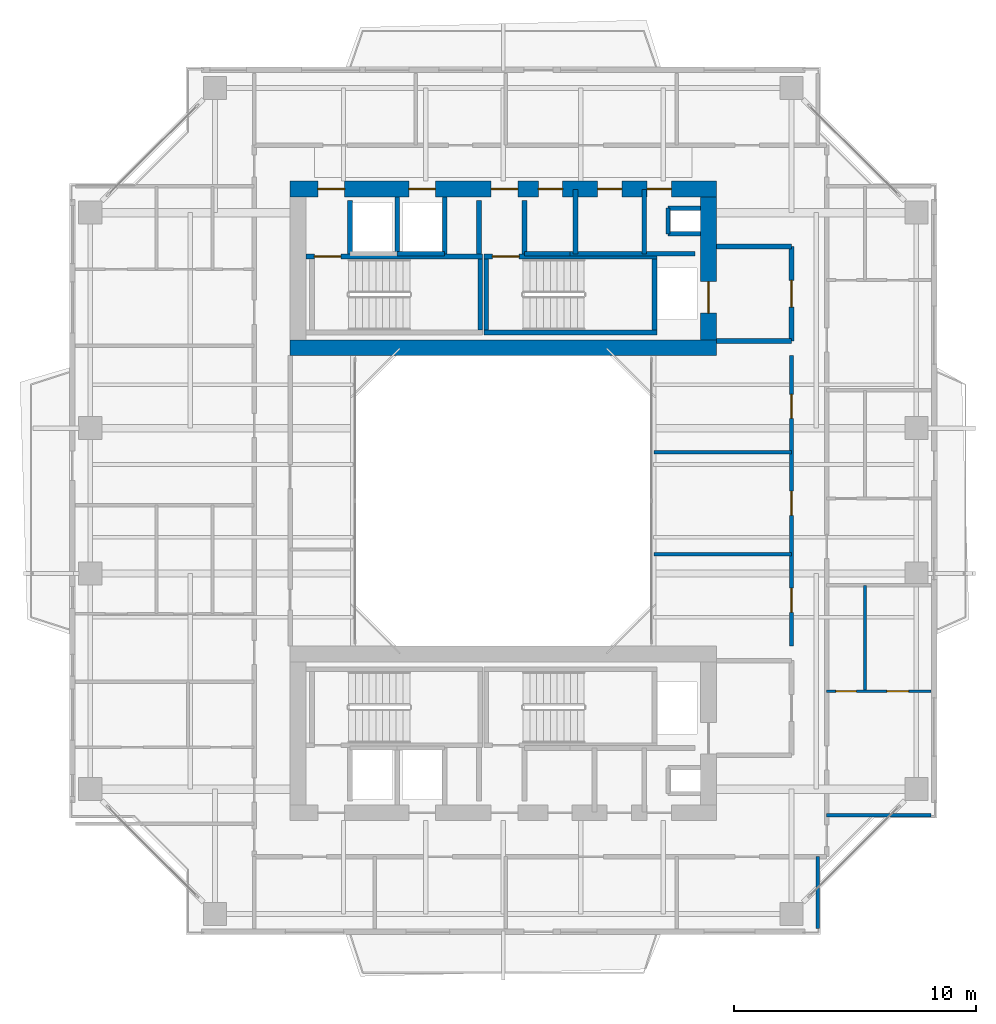
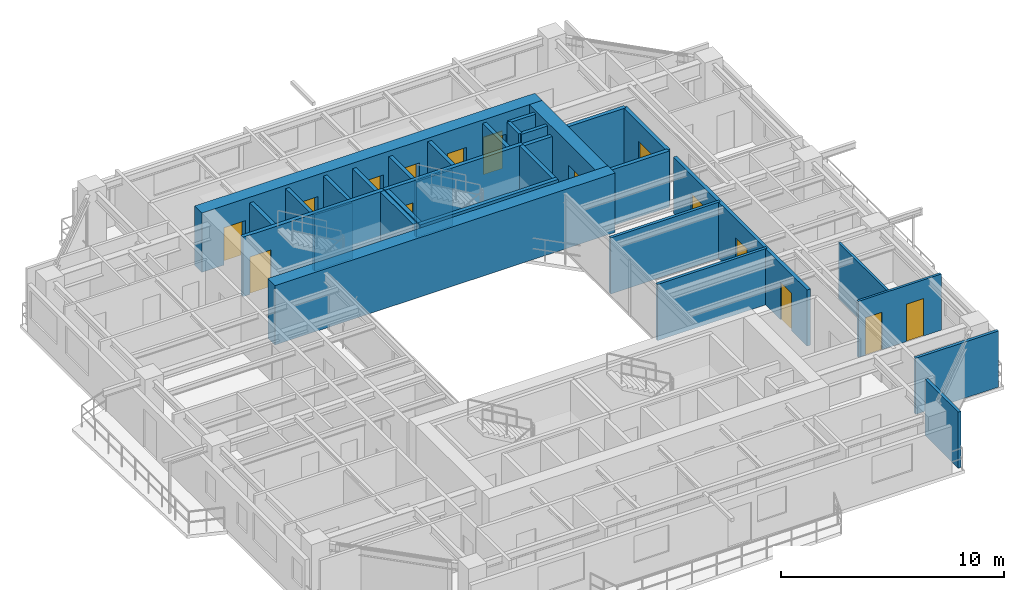
# One storey, part 13 of 18: 32 walls, 15 doors, 15 openings.
"""IFC4 building model written with IfcOpenShell, lengths in metres."""

from ifc_helpers import new_model, si_unit, direction, frame, frame_2d, origin, place, context, subcontext, project, spatial, rectangle, extrude, source, transform, mapped, material, layer, layer_set, type_object, element, fill, save


model = new_model("IFC4")

# Units and contexts
model_context = context("Model", 3, precision=1e-05, world=origin(), true_north=direction((0.0, 1.0)))
body_context = subcontext(model_context, "Body", "Model", "MODEL_VIEW")
ifc_project = project(units=[si_unit("LENGTHUNIT", "METRE"), si_unit("AREAUNIT", "SQUARE_METRE"), si_unit("VOLUMEUNIT", "CUBIC_METRE"), si_unit("PLANEANGLEUNIT", "RADIAN"), si_unit("MASSUNIT", "GRAM", prefix="KILO"), si_unit("THERMODYNAMICTEMPERATUREUNIT", "KELVIN"), si_unit("POWERUNIT", "WATT")], contexts=[model_context])

# Site, building, storey
site_placement = place(None, origin())
site = spatial("IfcSite", under=ifc_project, at=site_placement, CompositionType="ELEMENT")
building_placement = place(site_placement, origin())
building = spatial("IfcBuilding", under=site, at=building_placement, Name="Qiaomeng Ring Towers", CompositionType="ELEMENT")
storey_placement = place(building_placement, frame((0.0, 0.0, 179.5)))
storey = spatial("IfcBuildingStorey", under=building, at=storey_placement, Name="L52", CompositionType="ELEMENT", Elevation=179.5)

# Walls
ifc_material_1 = material(Name="Autoclaved aerated concrete block", Category="concrete")
ifc_layer_1 = layer(ifc_material_1, 0.199951171875, Name="Autoclaved aerated concrete block")
ifc_layer_set_1 = layer_set([ifc_layer_1], Name="Autoclaved aerated concrete block")
wall_type_1 = type_object("IfcWallType", Name="ARC-WL-PW1", PredefinedType="PARTITIONING", material=ifc_layer_set_1)
for number, where, z_axis, x_axis, name in (
    (1, (27.800048828125, 29.60009765625, 0.0), (0.0, 0.0, 1.0), (1.0, 0.0, 0.0), "L52 Interior Wall PW1"),
    (2, (27.800048828125, 33.5, 0.0), (0.0, 0.0, 1.0), (1.0, 0.0, 0.0), "L52 Interior Wall PW1"),
):
    element("IfcWall", number, at=place(storey_placement, frame(where, z_axis=z_axis, x_axis=x_axis)), inside=storey, type_object=wall_type_1, Name=name, PredefinedType="PARTITIONING", context=body_context, shape_type="SweptSolid", body=[
        extrude(rectangle(XDim=3.099853515625, YDim=0.199951171875, at=frame_2d((1.5498046875, 0.0))), origin(), (0.0, 0.0, 1.0), 3.070068359375),
    ])

# Wall, opening, door
wall_1_placement = place(storey_placement, frame((30.89990234375, 29.60009765625, 0.0), z_axis=(0.0, 0.0, 1.0), x_axis=(0.0, 1.0, 0.0)))
wall_1 = element("IfcWall", 3, at=wall_1_placement, inside=storey, type_object=wall_type_1, Name="L52 Interior Wall PW1", PredefinedType="PARTITIONING", context=body_context, shape_type="SweptSolid", body=[
    extrude(rectangle(XDim=3.89990234375, YDim=0.199951171875, at=frame_2d((1.949951171875, 0.0))), origin(), (0.0, 0.0, 1.0), 3.070068359375),
])
opening_1_placement = place(wall_1_placement, frame((1.39990234375, 0.0, 0.0)))
opening_1 = element("IfcOpeningElement", 4, at=opening_1_placement, cuts=wall_1, Name="Opening FD3", PredefinedType="OPENING", context=body_context, shape_type="SweptSolid", body=[
    extrude(rectangle(XDim=1.10009765625, YDim=2.050048828125, at=frame_2d((0.550048828125, 1.02490234375))), frame((0.0, 0.10986328125, 0.0), z_axis=(0.0, -1.0, 0.0), x_axis=(1.0, 0.0, 0.0)), (0.0, 0.0, 1.0), 0.219970703125),
])
ifc_material_2 = material(Name="Galvanised steel", Category="steel")
door_type_1 = type_object("IfcDoorType", Name="ARC-DR-FD3", OperationType="NOTDEFINED", PredefinedType="DOOR", material=ifc_material_2)
shared_shape_1 = source(origin(), body_context, "Body", "SweptSolid", [
    extrude(rectangle(XDim=1.10009765625, YDim=2.050048828125, at=frame_2d((0.550048828125, 1.02490234375))), frame((0.0, 0.02490234375, 0.0), z_axis=(0.0, -1.0, 0.0), x_axis=(1.0, 0.0, 0.0)), (0.0, 0.0, 1.0), 0.050048828125),
])
door_1_placement = place(opening_1_placement, origin())
door_1 = element("IfcDoor", 5, at=door_1_placement, inside=storey, type_object=door_type_1, Name="L52 North FF Lobby Door", OperationType="SINGLE_SWING_LEFT", OverallHeight=2.050048828125, OverallWidth=1.10009765625, PredefinedType="DOOR", context=body_context, shape_type="MappedRepresentation", body=[
    mapped(shared_shape_1, transform((0.0, 0.0, 0.0), x_axis=(1.0, 0.0, 0.0), y_axis=(0.0, 1.0, 0.0), z_axis=(0.0, 0.0, 1.0), scale=1.0)),
])
fill(opening_1, door_1)

# Walls
for number, where, z_axis, x_axis, name in (
    (6, (12.679931640625, 33.18994140625, 0.0), (0.0, 0.0, 1.0), (0.0, 1.0, 0.0), "L52 Interior Wall PW1"),
    (7, (18.0, 33.18994140625, 0.0), (0.0, 0.0, 1.0), (0.0, 1.0, 0.0), "L52 Interior Wall PW1"),
    (8, (19.8798828125, 33.18994140625, 0.0), (0.0, 0.0, 1.0), (0.0, 1.0, 0.0), "L52 Interior Wall PW1"),
):
    element("IfcWall", number, at=place(storey_placement, frame(where, z_axis=z_axis, x_axis=x_axis)), inside=storey, type_object=wall_type_1, Name=name, PredefinedType="PARTITIONING", context=body_context, shape_type="SweptSolid", body=[
        extrude(rectangle(XDim=2.2099609375, YDim=0.199951171875, at=frame_2d((1.10498046875, 0.0))), origin(), (0.0, 0.0, 1.0), 3.070068359375),
    ])
wall_2_placement = place(storey_placement, frame((24.820068359375, 33.199951171875, 0.0), z_axis=(0.0, 0.0, 1.0), x_axis=(0.0, 1.0, 0.0)))
element("IfcWall", 9, at=wall_2_placement, inside=storey, type_object=wall_type_1, Name="L52 Interior Wall PW1", PredefinedType="PARTITIONING", context=body_context, shape_type="SweptSolid", body=[
    extrude(rectangle(XDim=2.650146484375, YDim=0.199951171875, at=frame_2d((1.3251953125, 0.0))), origin(), (0.0, 0.0, 1.0), 3.070068359375),
])
wall_3_placement = place(storey_placement, frame((19.8798828125, 33.199951171875, 0.0), z_axis=(0.0, 0.0, 1.0), x_axis=(1.0, 0.0, 0.0)))
element("IfcWall", 10, at=wall_3_placement, inside=storey, type_object=wall_type_1, Name="L52 Interior Wall PW1", PredefinedType="PARTITIONING", context=body_context, shape_type="SweptSolid", body=[
    extrude(rectangle(XDim=1.8701171875, YDim=0.199951171875, at=frame_2d((0.93505859375, 0.0))), origin(), (0.0, 0.0, 1.0), 3.070068359375),
])
wall_4_placement = place(storey_placement, frame((21.97998046875, 33.199951171875, 0.0), z_axis=(0.0, 0.0, 1.0), x_axis=(0.0, 1.0, 0.0)))
element("IfcWall", 11, at=wall_4_placement, inside=storey, type_object=wall_type_1, Name="L52 Interior Wall PW1", PredefinedType="PARTITIONING", context=body_context, shape_type="SweptSolid", body=[
    extrude(rectangle(XDim=2.650146484375, YDim=0.199951171875, at=frame_2d((1.3251953125, 0.0))), origin(), (0.0, 0.0, 1.0), 3.070068359375),
])
wall_5_placement = place(storey_placement, frame((21.75, 33.199951171875, 0.0), z_axis=(0.0, 0.0, 1.0), x_axis=(1.0, 0.0, 0.0)))
element("IfcWall", 12, at=wall_5_placement, inside=storey, type_object=wall_type_1, Name="L52 Interior Wall PW1", PredefinedType="PARTITIONING", context=body_context, shape_type="SweptSolid", body=[
    extrude(rectangle(XDim=5.169921875, YDim=0.199951171875, at=frame_2d((2.5849609375, 0.0))), origin(), (0.0, 0.0, 1.0), 3.070068359375),
])

# Wall, openings, doors
ifc_layer_2 = layer(ifc_material_1, 0.179931640625, Name="Autoclaved aerated concrete block")
ifc_layer_set_2 = layer_set([ifc_layer_2], Name="Autoclaved aerated concrete block")
wall_type_2 = type_object("IfcWallType", Name="ARC-WL-PW2", PredefinedType="PARTITIONING", material=ifc_layer_set_2)
wall_6_placement = place(storey_placement, frame((30.89990234375, 17.0, 0.0), z_axis=(0.0, 0.0, 1.0), x_axis=(0.0, 1.0, 0.0)))
wall_6 = element("IfcWall", 13, at=wall_6_placement, inside=storey, type_object=wall_type_2, Name="L52 Interior Wall PW2", PredefinedType="PARTITIONING", context=body_context, shape_type="SweptSolid", body=[
    extrude(rectangle(XDim=12.0, YDim=0.179931640625, at=frame_2d((6.0, 0.0))), origin(), (0.0, 0.0, 1.0), 3.070068359375),
])
opening_2_placement = place(wall_6_placement, frame((1.39990234375, 0.0, 0.0)))
opening_2 = element("IfcOpeningElement", 14, at=opening_2_placement, cuts=wall_6, Name="Opening FD4", PredefinedType="OPENING", context=body_context, shape_type="SweptSolid", body=[
    extrude(rectangle(XDim=1.0, YDim=2.050048828125, at=frame_2d((0.5, 1.02490234375))), frame((0.0, 0.099853515625, 0.0), z_axis=(0.0, -1.0, 0.0), x_axis=(1.0, 0.0, 0.0)), (0.0, 0.0, 1.0), 0.199951171875),
])
opening_3_placement = place(wall_6_placement, frame((5.39990234375, 0.0, 0.0)))
opening_3 = element("IfcOpeningElement", 15, at=opening_3_placement, cuts=wall_6, Name="Opening FD4", PredefinedType="OPENING", context=body_context, shape_type="SweptSolid", body=[
    extrude(rectangle(XDim=1.0, YDim=2.050048828125, at=frame_2d((0.5, 1.02490234375))), frame((0.0, 0.099853515625, 0.0), z_axis=(0.0, -1.0, 0.0), x_axis=(1.0, 0.0, 0.0)), (0.0, 0.0, 1.0), 0.199951171875),
])
opening_4_placement = place(wall_6_placement, frame((9.39990234375, 0.0, 0.0)))
opening_4 = element("IfcOpeningElement", 16, at=opening_4_placement, cuts=wall_6, Name="Opening FD4", PredefinedType="OPENING", context=body_context, shape_type="SweptSolid", body=[
    extrude(rectangle(XDim=1.0, YDim=2.050048828125, at=frame_2d((0.5, 1.02490234375))), frame((0.0, 0.099853515625, 0.0), z_axis=(0.0, -1.0, 0.0), x_axis=(1.0, 0.0, 0.0)), (0.0, 0.0, 1.0), 0.199951171875),
])
ifc_material_3 = material(Name="Engineered fire-rated oak timber", Category="wood")
door_type_2 = type_object("IfcDoorType", Name="ARC-DR-FD4", OperationType="NOTDEFINED", PredefinedType="DOOR", material=ifc_material_3)
shared_shape_2 = source(origin(), body_context, "Body", "SweptSolid", [
    extrude(rectangle(XDim=1.0, YDim=2.050048828125, at=frame_2d((0.5, 1.02490234375))), frame((0.0, 0.02490234375, 0.0), z_axis=(0.0, -1.0, 0.0), x_axis=(1.0, 0.0, 0.0)), (0.0, 0.0, 1.0), 0.050048828125),
])
door_2_placement = place(opening_2_placement, origin())
door_2 = element("IfcDoor", 17, at=door_2_placement, inside=storey, type_object=door_type_2, Name="L52 Door FD4", OperationType="SINGLE_SWING_RIGHT", OverallHeight=2.050048828125, OverallWidth=1.0, PredefinedType="DOOR", context=body_context, shape_type="MappedRepresentation", body=[
    mapped(shared_shape_2, transform((0.0, 0.0, 0.0), x_axis=(1.0, 0.0, 0.0), y_axis=(0.0, 1.0, 0.0), z_axis=(0.0, 0.0, 1.0), scale=1.0)),
])
fill(opening_2, door_2)
door_3_placement = place(opening_3_placement, origin())
door_3 = element("IfcDoor", 18, at=door_3_placement, inside=storey, type_object=door_type_2, Name="L52 Door FD4", OperationType="SINGLE_SWING_LEFT", OverallHeight=2.050048828125, OverallWidth=1.0, PredefinedType="DOOR", context=body_context, shape_type="MappedRepresentation", body=[
    mapped(shared_shape_2, transform((0.0, 0.0, 0.0), x_axis=(1.0, 0.0, 0.0), y_axis=(0.0, 1.0, 0.0), z_axis=(0.0, 0.0, 1.0), scale=1.0)),
])
fill(opening_3, door_3)
door_4_placement = place(opening_4_placement, origin())
door_4 = element("IfcDoor", 19, at=door_4_placement, inside=storey, type_object=door_type_2, Name="L52 Door FD4", OperationType="SINGLE_SWING_RIGHT", OverallHeight=2.050048828125, OverallWidth=1.0, PredefinedType="DOOR", context=body_context, shape_type="MappedRepresentation", body=[
    mapped(shared_shape_2, transform((0.0, 0.0, 0.0), x_axis=(1.0, 0.0, 0.0), y_axis=(0.0, 1.0, 0.0), z_axis=(0.0, 0.0, 1.0), scale=1.0)),
])
fill(opening_4, door_4)

# Walls
ifc_material_4 = material(Name="Gypsum fireboard steel-stud partition", Category="steel")
ifc_layer_3 = layer(ifc_material_4, 0.14990234375, Name="Gypsum fireboard steel-stud partition")
ifc_layer_set_3 = layer_set([ifc_layer_3], Name="Gypsum fireboard steel-stud partition")
wall_type_3 = type_object("IfcWallType", Name="ARC-WL-PW3", PredefinedType="PARTITIONING", material=ifc_layer_set_3)
wall_7_placement = place(storey_placement, frame((31.97998046875, 5.35009765625, 0.0), z_axis=(0.0, 0.0, 1.0), x_axis=(0.0, 1.0, 0.0)))
element("IfcWall", 20, at=wall_7_placement, inside=storey, type_object=wall_type_3, Name="L52 Interior Wall PW3", PredefinedType="PARTITIONING", context=body_context, shape_type="SweptSolid", body=[
    extrude(rectangle(XDim=2.9599609375, YDim=0.14990234375, at=frame_2d((1.47998046875, 0.0))), origin(), (0.0, 0.0, 1.0), 3.070068359375),
])
wall_8_placement = place(storey_placement, frame((32.35009765625, 10.02001953125, 0.0), z_axis=(0.0, 0.0, 1.0), x_axis=(1.0, 0.0, 0.0)))
element("IfcWall", 21, at=wall_8_placement, inside=storey, type_object=wall_type_3, Name="L52 Interior Wall PW3", PredefinedType="PARTITIONING", context=body_context, shape_type="SweptSolid", body=[
    extrude(rectangle(XDim=4.2998046875, YDim=0.14990234375, at=frame_2d((2.14990234375, 0.0))), origin(), (0.0, 0.0, 1.0), 3.070068359375),
])
for number, where, z_axis, x_axis, name in (
    (22, (25.219970703125, 20.800048828125, 0.0), (0.0, 0.0, 1.0), (1.0, 0.0, 0.0), "L52 Interior Wall PW3"),
    (23, (25.219970703125, 25.0, 0.0), (0.0, 0.0, 1.0), (1.0, 0.0, 0.0), "L52 Interior Wall PW3"),
):
    element("IfcWall", number, at=place(storey_placement, frame(where, z_axis=z_axis, x_axis=x_axis)), inside=storey, type_object=wall_type_3, Name=name, PredefinedType="PARTITIONING", context=body_context, shape_type="SweptSolid", body=[
        extrude(rectangle(XDim=5.679931640625, YDim=0.14990234375, at=frame_2d((2.83984375, 0.0))), origin(), (0.0, 0.0, 1.0), 3.070068359375),
    ])

# Wall, openings, doors
ifc_material_5 = material(Name="Moisture-resistant gypsum steel-stud partition", Category="steel")
ifc_layer_4 = layer(ifc_material_5, 0.1201171875, Name="Moisture-resistant gypsum steel-stud partition")
ifc_layer_set_4 = layer_set([ifc_layer_4], Name="Moisture-resistant gypsum steel-stud partition")
wall_type_4 = type_object("IfcWallType", Name="ARC-WL-PW4", PredefinedType="PLUMBINGWALL", material=ifc_layer_set_4)
wall_9_placement = place(storey_placement, frame((32.35009765625, 15.139892578125, 0.0), z_axis=(0.0, 0.0, 1.0), x_axis=(1.0, 0.0, 0.0)))
wall_9 = element("IfcWall", 24, at=wall_9_placement, inside=storey, type_object=wall_type_4, Name="L52 Interior Wall PW4", PredefinedType="PLUMBINGWALL", context=body_context, shape_type="SweptSolid", body=[
    extrude(rectangle(XDim=4.2998046875, YDim=0.1201171875, at=frame_2d((2.14990234375, 0.0))), origin(), (0.0, 0.0, 1.0), 3.070068359375),
])
opening_5_placement = place(wall_9_placement, frame((0.3798828125, 0.0, 0.0)))
opening_5 = element("IfcOpeningElement", 25, at=opening_5_placement, cuts=wall_9, Name="Opening ID2", PredefinedType="OPENING", context=body_context, shape_type="SweptSolid", body=[
    extrude(rectangle(XDim=0.85009765625, YDim=2.050048828125, at=frame_2d((0.425048828125, 1.02490234375))), frame((0.0, 0.070068359375, 0.0), z_axis=(0.0, -1.0, 0.0), x_axis=(1.0, 0.0, 0.0)), (0.0, 0.0, 1.0), 0.14013671875),
])
opening_6_placement = place(wall_9_placement, frame((2.485107421875, 0.0, 0.0)))
opening_6 = element("IfcOpeningElement", 26, at=opening_6_placement, cuts=wall_9, Name="Opening ID1", PredefinedType="OPENING", context=body_context, shape_type="SweptSolid", body=[
    extrude(rectangle(XDim=0.89990234375, YDim=2.050048828125, at=frame_2d((0.449951171875, 1.02490234375))), frame((0.0, 0.070068359375, 0.0), z_axis=(0.0, -1.0, 0.0), x_axis=(1.0, 0.0, 0.0)), (0.0, 0.0, 1.0), 0.14013671875),
])
ifc_material_6 = material(Name="Moisture-resistant engineered timber", Category="wood")
door_type_3 = type_object("IfcDoorType", Name="ARC-DR-ID2", OperationType="NOTDEFINED", PredefinedType="DOOR", material=ifc_material_6)
shared_shape_3 = source(origin(), body_context, "Body", "SweptSolid", [
    extrude(rectangle(XDim=0.85009765625, YDim=2.050048828125, at=frame_2d((0.425048828125, 1.02490234375))), frame((0.0, 0.02490234375, 0.0), z_axis=(0.0, -1.0, 0.0), x_axis=(1.0, 0.0, 0.0)), (0.0, 0.0, 1.0), 0.050048828125),
])
door_5_placement = place(opening_5_placement, origin())
door_5 = element("IfcDoor", 27, at=door_5_placement, inside=storey, type_object=door_type_3, Name="L52 Door ID2", OperationType="SINGLE_SWING_LEFT", OverallHeight=2.050048828125, OverallWidth=0.85009765625, PredefinedType="DOOR", context=body_context, shape_type="MappedRepresentation", body=[
    mapped(shared_shape_3, transform((0.0, 0.0, 0.0), x_axis=(1.0, 0.0, 0.0), y_axis=(0.0, 1.0, 0.0), z_axis=(0.0, 0.0, 1.0), scale=1.0)),
])
fill(opening_5, door_5)
ifc_material_7 = material(Name="Engineered oak timber", Category="wood")
door_type_4 = type_object("IfcDoorType", Name="ARC-DR-ID1", OperationType="NOTDEFINED", PredefinedType="DOOR", material=ifc_material_7)
shared_shape_4 = source(origin(), body_context, "Body", "SweptSolid", [
    extrude(rectangle(XDim=0.89990234375, YDim=2.050048828125, at=frame_2d((0.449951171875, 1.02490234375))), frame((0.0, 0.02490234375, 0.0), z_axis=(0.0, -1.0, 0.0), x_axis=(1.0, 0.0, 0.0)), (0.0, 0.0, 1.0), 0.050048828125),
])
door_6_placement = place(opening_6_placement, origin())
door_6 = element("IfcDoor", 28, at=door_6_placement, inside=storey, type_object=door_type_4, Name="L52 Door ID1", OperationType="SINGLE_SWING_RIGHT", OverallHeight=2.050048828125, OverallWidth=0.89990234375, PredefinedType="DOOR", context=body_context, shape_type="MappedRepresentation", body=[
    mapped(shared_shape_4, transform((0.0, 0.0, 0.0), x_axis=(1.0, 0.0, 0.0), y_axis=(0.0, 1.0, 0.0), z_axis=(0.0, 0.0, 1.0), scale=1.0)),
])
fill(opening_6, door_6)

# Walls
wall_10_placement = place(storey_placement, frame((33.93994140625, 15.139892578125, 0.0), z_axis=(0.0, 0.0, 1.0), x_axis=(0.0, 1.0, 0.0)))
element("IfcWall", 29, at=wall_10_placement, inside=storey, type_object=wall_type_4, Name="L52 Interior Wall PW4", PredefinedType="PLUMBINGWALL", context=body_context, shape_type="SweptSolid", body=[
    extrude(rectangle(XDim=4.3701171875, YDim=0.1201171875, at=frame_2d((2.18505859375, 0.0))), origin(), (0.0, 0.0, 1.0), 3.070068359375),
])
ifc_material_8 = material(Name="Concrete C40", Category="concrete")
ifc_layer_5 = layer(ifc_material_8, 0.199951171875, Name="Concrete C40")
ifc_layer_set_5 = layer_set([ifc_layer_5], Name="Concrete C40")
wall_type_5 = type_object("IfcWallType", Name="STR-WL-STSHAFT", PredefinedType="SHEAR", material=ifc_layer_set_5)
wall_11_placement = place(storey_placement, frame((14.6201171875, 33.199951171875, 0.0), z_axis=(0.0, 0.0, 1.0), x_axis=(0.0, 1.0, 0.0)))
element("IfcWall", 30, at=wall_11_placement, inside=storey, type_object=wall_type_5, Name="L52 Lift LP5-LP3 Shaft Divider Wall", PredefinedType="SHEAR", context=body_context, shape_type="SweptSolid", body=[
    extrude(rectangle(XDim=2.35009765625, YDim=0.179931640625, at=frame_2d((1.175048828125, 0.0))), origin(), (0.0, 0.0, 1.0), 3.070068359375),
])
wall_12_placement = place(storey_placement, frame((25.800048828125, 34.02001953125, 0.0), z_axis=(0.0, 0.0, 1.0), x_axis=(0.0, 1.0, 0.0)))
element("IfcWall", 31, at=wall_12_placement, inside=storey, type_object=wall_type_5, Name="L52 Riser RSR1 West Shaft Wall N", PredefinedType="SHEAR", context=body_context, shape_type="SweptSolid", body=[
    extrude(rectangle(XDim=1.06005859375, YDim=0.179931640625, at=frame_2d((0.530029296875, 0.0))), origin(), (0.0, 0.0, 1.0), 3.070068359375),
])
for number, where, z_axis, x_axis, name in (
    (32, (25.800048828125, 35.080078125, 0.0), (0.0, 0.0, 1.0), (1.0, 0.0, 0.0), "L52 Riser RSR1 North Shaft Wall N"),
    (33, (25.800048828125, 34.02001953125, 0.0), (0.0, 0.0, 1.0), (1.0, 0.0, 0.0), "L52 Riser RSR1 South Shaft Wall N"),
):
    element("IfcWall", number, at=place(storey_placement, frame(where, z_axis=z_axis, x_axis=x_axis)), inside=storey, type_object=wall_type_5, Name=name, PredefinedType="SHEAR", context=body_context, shape_type="SweptSolid", body=[
        extrude(rectangle(XDim=1.349853515625, YDim=0.179931640625, at=frame_2d((0.6748046875, 0.0))), origin(), (0.0, 0.0, 1.0), 3.070068359375),
    ])
wall_13_placement = place(storey_placement, frame((14.6201171875, 33.199951171875, 0.0), z_axis=(0.0, 0.0, 1.0), x_axis=(1.0, 0.0, 0.0)))
element("IfcWall", 34, at=wall_13_placement, inside=storey, type_object=wall_type_5, Name="L52 Lift LP3 Shaft Back Wall", PredefinedType="SHEAR", context=body_context, shape_type="SweptSolid", body=[
    extrude(rectangle(XDim=1.9599609375, YDim=0.179931640625, at=frame_2d((0.97998046875, 0.0))), origin(), (0.0, 0.0, 1.0), 3.070068359375),
])
wall_14_placement = place(storey_placement, frame((16.580078125, 33.199951171875, 0.0), z_axis=(0.0, 0.0, 1.0), x_axis=(0.0, 1.0, 0.0)))
element("IfcWall", 35, at=wall_14_placement, inside=storey, type_object=wall_type_5, Name="L52 Lift LP3 East Shaft Wall", PredefinedType="SHEAR", context=body_context, shape_type="SweptSolid", body=[
    extrude(rectangle(XDim=2.35009765625, YDim=0.179931640625, at=frame_2d((1.175048828125, 0.0))), origin(), (0.0, 0.0, 1.0), 3.070068359375),
])

# Wall, opening, door
wall_15_placement = place(storey_placement, frame((10.85009765625, 33.090087890625, 0.0), z_axis=(0.0, 0.0, 1.0), x_axis=(1.0, 0.0, 0.0)))
wall_15 = element("IfcWall", 36, at=wall_15_placement, inside=storey, type_object=wall_type_5, Name="L52 Stair ST1 North Shaft Shear Wall", PredefinedType="SHEAR", context=body_context, shape_type="SweptSolid", body=[
    extrude(rectangle(XDim=7.2998046875, YDim=0.199951171875, at=frame_2d((3.64990234375, 0.0))), origin(), (0.0, 0.0, 1.0), 3.25),
])
opening_7_placement = place(wall_15_placement, frame((0.35009765625, 0.0, 0.0)))
opening_7 = element("IfcOpeningElement", 37, at=opening_7_placement, cuts=wall_15, Name="Opening FD3", PredefinedType="OPENING", context=body_context, shape_type="SweptSolid", body=[
    extrude(rectangle(XDim=1.10009765625, YDim=2.050048828125, at=frame_2d((0.550048828125, 1.02490234375))), frame((0.0, 0.10986328125, 0.0), z_axis=(0.0, -1.0, 0.0), x_axis=(1.0, 0.0, 0.0)), (0.0, 0.0, 1.0), 0.219970703125),
])
door_7_placement = place(opening_7_placement, origin())
door_7 = element("IfcDoor", 38, at=door_7_placement, inside=storey, type_object=door_type_1, Name="L52 Stair ST1 Exit Door", OperationType="SINGLE_SWING_RIGHT", OverallHeight=2.050048828125, OverallWidth=1.10009765625, PredefinedType="DOOR", context=body_context, shape_type="MappedRepresentation", body=[
    mapped(shared_shape_1, transform((0.0, 0.0, 0.0), x_axis=(1.0, 0.0, 0.0), y_axis=(0.0, 1.0, 0.0), z_axis=(0.0, 0.0, 1.0), scale=1.0)),
])
fill(opening_7, door_7)

# Walls
wall_16_placement = place(storey_placement, frame((18.050048828125, 30.050048828125, 0.0), z_axis=(0.0, 0.0, 1.0), x_axis=(0.0, 1.0, 0.0)))
element("IfcWall", 39, at=wall_16_placement, inside=storey, type_object=wall_type_5, Name="L52 Stair ST1 East Shaft Shear Wall", PredefinedType="SHEAR", context=body_context, shape_type="SweptSolid", body=[
    extrude(rectangle(XDim=2.93994140625, YDim=0.199951171875, at=frame_2d((1.469970703125, 0.0))), origin(), (0.0, 0.0, 1.0), 3.25),
])
wall_17_placement = place(storey_placement, frame((18.199951171875, 29.949951171875, 0.0), z_axis=(0.0, 0.0, 1.0), x_axis=(1.0, 0.0, 0.0)))
element("IfcWall", 40, at=wall_17_placement, inside=storey, type_object=wall_type_5, Name="L52 Stair ST2 South Shaft Shear Wall", PredefinedType="SHEAR", context=body_context, shape_type="SweptSolid", body=[
    extrude(rectangle(XDim=7.150146484375, YDim=0.199951171875, at=frame_2d((3.5751953125, 0.0))), origin(), (0.0, 0.0, 1.0), 3.25),
])

# Wall, opening, door
wall_18_placement = place(storey_placement, frame((18.199951171875, 33.090087890625, 0.0), z_axis=(0.0, 0.0, 1.0), x_axis=(1.0, 0.0, 0.0)))
wall_18 = element("IfcWall", 41, at=wall_18_placement, inside=storey, type_object=wall_type_5, Name="L52 Stair ST2 North Shaft Shear Wall", PredefinedType="SHEAR", context=body_context, shape_type="SweptSolid", body=[
    extrude(rectangle(XDim=7.150146484375, YDim=0.199951171875, at=frame_2d((3.5751953125, 0.0))), origin(), (0.0, 0.0, 1.0), 3.25),
])
opening_8_placement = place(wall_18_placement, frame((0.35009765625, 0.0, 0.0)))
opening_8 = element("IfcOpeningElement", 42, at=opening_8_placement, cuts=wall_18, Name="Opening FD3", PredefinedType="OPENING", context=body_context, shape_type="SweptSolid", body=[
    extrude(rectangle(XDim=1.10009765625, YDim=2.050048828125, at=frame_2d((0.550048828125, 1.02490234375))), frame((0.0, 0.10986328125, 0.0), z_axis=(0.0, -1.0, 0.0), x_axis=(1.0, 0.0, 0.0)), (0.0, 0.0, 1.0), 0.219970703125),
])
door_8_placement = place(opening_8_placement, origin())
door_8 = element("IfcDoor", 43, at=door_8_placement, inside=storey, type_object=door_type_1, Name="L52 Stair ST2 Exit Door", OperationType="SINGLE_SWING_RIGHT", OverallHeight=2.050048828125, OverallWidth=1.10009765625, PredefinedType="DOOR", context=body_context, shape_type="MappedRepresentation", body=[
    mapped(shared_shape_1, transform((0.0, 0.0, 0.0), x_axis=(1.0, 0.0, 0.0), y_axis=(0.0, 1.0, 0.0), z_axis=(0.0, 0.0, 1.0), scale=1.0)),
])
fill(opening_8, door_8)

# Walls
for number, where, z_axis, x_axis, name in (
    (44, (18.300048828125, 30.050048828125, 0.0), (0.0, 0.0, 1.0), (0.0, 1.0, 0.0), "L52 Stair ST2 West Shaft Shear Wall"),
    (45, (25.25, 30.050048828125, 0.0), (0.0, 0.0, 1.0), (0.0, 1.0, 0.0), "L52 Stair ST2 East Shaft Shear Wall"),
):
    element("IfcWall", number, at=place(storey_placement, frame(where, z_axis=z_axis, x_axis=x_axis)), inside=storey, type_object=wall_type_5, Name=name, PredefinedType="SHEAR", context=body_context, shape_type="SweptSolid", body=[
        extrude(rectangle(XDim=2.93994140625, YDim=0.199951171875, at=frame_2d((1.469970703125, 0.0))), origin(), (0.0, 0.0, 1.0), 3.25),
    ])
ifc_material_9 = material(Name="Concrete C50", Category="concrete")
ifc_layer_6 = layer(ifc_material_9, 0.64990234375, Name="Concrete C50")
ifc_layer_set_6 = layer_set([ifc_layer_6], Name="Concrete C50")
wall_type_6 = type_object("IfcWallType", Name="STR-WL-SW2B", PredefinedType="SHEAR", material=ifc_layer_set_6)
wall_19_placement = place(storey_placement, frame((10.199951171875, 29.324951171875, 0.0), z_axis=(0.0, 0.0, 1.0), x_axis=(1.0, 0.0, 0.0)))
element("IfcWall", 46, at=wall_19_placement, inside=storey, type_object=wall_type_6, Name="L52 T1NC south core shear wall", PredefinedType="SHEAR", context=body_context, shape_type="SweptSolid", body=[
    extrude(rectangle(XDim=17.60009765625, YDim=0.64990234375, at=frame_2d((8.800048828125, 0.0))), origin(), (0.0, 0.0, 1.0), 3.25),
])

# Wall, openings, doors
wall_20_placement = place(storey_placement, frame((10.199951171875, 35.875, 0.0), z_axis=(0.0, 0.0, 1.0), x_axis=(1.0, 0.0, 0.0)))
wall_20 = element("IfcWall", 47, at=wall_20_placement, inside=storey, type_object=wall_type_6, Name="L52 T1NC north core shear wall", PredefinedType="SHEAR", context=body_context, shape_type="SweptSolid", body=[
    extrude(rectangle(XDim=17.60009765625, YDim=0.64990234375, at=frame_2d((8.800048828125, 0.0))), origin(), (0.0, 0.0, 1.0), 3.25),
])
opening_9_placement = place(wall_20_placement, frame((1.14990234375, 0.0, 0.0)))
opening_9 = element("IfcOpeningElement", 48, at=opening_9_placement, cuts=wall_20, Name="Opening FD3", PredefinedType="OPENING", context=body_context, shape_type="SweptSolid", body=[
    extrude(rectangle(XDim=1.10009765625, YDim=2.050048828125, at=frame_2d((0.550048828125, 1.02490234375))), frame((0.0, 0.3349609375, 0.0), z_axis=(0.0, -1.0, 0.0), x_axis=(1.0, 0.0, 0.0)), (0.0, 0.0, 1.0), 0.669921875),
])
opening_10_placement = place(wall_20_placement, frame((8.300048828125, 0.0, 0.0)))
opening_10 = element("IfcOpeningElement", 49, at=opening_10_placement, cuts=wall_20, Name="Opening FD3", PredefinedType="OPENING", context=body_context, shape_type="SweptSolid", body=[
    extrude(rectangle(XDim=1.10009765625, YDim=2.050048828125, at=frame_2d((0.550048828125, 1.02490234375))), frame((0.0, 0.3349609375, 0.0), z_axis=(0.0, -1.0, 0.0), x_axis=(1.0, 0.0, 0.0)), (0.0, 0.0, 1.0), 0.669921875),
])
opening_11_placement = place(wall_20_placement, frame((4.89990234375, 0.0, 0.0)))
opening_11 = element("IfcOpeningElement", 50, at=opening_11_placement, cuts=wall_20, Name="Opening LD1", PredefinedType="OPENING", context=body_context, shape_type="SweptSolid", body=[
    extrude(rectangle(XDim=1.10009765625, YDim=2.050048828125, at=frame_2d((0.550048828125, 1.02490234375))), frame((0.0, 0.3349609375, 0.0), z_axis=(0.0, -1.0, 0.0), x_axis=(1.0, 0.0, 0.0)), (0.0, 0.0, 1.0), 0.669921875),
])
opening_12_placement = place(wall_20_placement, frame((14.739990234375, 0.0, 0.0)))
opening_12 = element("IfcOpeningElement", 51, at=opening_12_placement, cuts=wall_20, Name="Opening FD1", PredefinedType="OPENING", context=body_context, shape_type="SweptSolid", body=[
    extrude(rectangle(XDim=1.0, YDim=2.050048828125, at=frame_2d((0.5, 1.02490234375))), frame((0.0, 0.3349609375, 0.0), z_axis=(0.0, -1.0, 0.0), x_axis=(1.0, 0.0, 0.0)), (0.0, 0.0, 1.0), 0.669921875),
])
opening_13_placement = place(wall_20_placement, frame((10.25, 0.0, 0.0)))
opening_13 = element("IfcOpeningElement", 52, at=opening_13_placement, cuts=wall_20, Name="Opening FD1", PredefinedType="OPENING", context=body_context, shape_type="SweptSolid", body=[
    extrude(rectangle(XDim=1.0, YDim=2.050048828125, at=frame_2d((0.5, 1.02490234375))), frame((0.0, 0.3349609375, 0.0), z_axis=(0.0, -1.0, 0.0), x_axis=(1.0, 0.0, 0.0)), (0.0, 0.0, 1.0), 0.669921875),
])
opening_14_placement = place(wall_20_placement, frame((12.699951171875, 0.0, 0.0)))
opening_14 = element("IfcOpeningElement", 53, at=opening_14_placement, cuts=wall_20, Name="Opening FD1", PredefinedType="OPENING", context=body_context, shape_type="SweptSolid", body=[
    extrude(rectangle(XDim=1.0, YDim=2.050048828125, at=frame_2d((0.5, 1.02490234375))), frame((0.0, 0.3349609375, 0.0), z_axis=(0.0, -1.0, 0.0), x_axis=(1.0, 0.0, 0.0)), (0.0, 0.0, 1.0), 0.669921875),
])
door_9_placement = place(opening_9_placement, origin())
door_9 = element("IfcDoor", 54, at=door_9_placement, inside=storey, type_object=door_type_1, Name="L52 Stair ST1 Lobby Door", OperationType="SINGLE_SWING_LEFT", OverallHeight=2.050048828125, OverallWidth=1.10009765625, PredefinedType="DOOR", context=body_context, shape_type="MappedRepresentation", body=[
    mapped(shared_shape_1, transform((0.0, 0.0, 0.0), x_axis=(1.0, 0.0, 0.0), y_axis=(0.0, 1.0, 0.0), z_axis=(0.0, 0.0, 1.0), scale=1.0)),
])
fill(opening_9, door_9)
door_10_placement = place(opening_10_placement, origin())
door_10 = element("IfcDoor", 55, at=door_10_placement, inside=storey, type_object=door_type_1, Name="L52 Stair ST2 Lobby Door", OperationType="SINGLE_SWING_LEFT", OverallHeight=2.050048828125, OverallWidth=1.10009765625, PredefinedType="DOOR", context=body_context, shape_type="MappedRepresentation", body=[
    mapped(shared_shape_1, transform((0.0, 0.0, 0.0), x_axis=(1.0, 0.0, 0.0), y_axis=(0.0, 1.0, 0.0), z_axis=(0.0, 0.0, 1.0), scale=1.0)),
])
fill(opening_10, door_10)
ifc_material_10 = material(Name="Stainless steel 316", Category="steel")
door_type_5 = type_object("IfcDoorType", Name="ARC-DR-LD1", OperationType="NOTDEFINED", PredefinedType="DOOR", material=ifc_material_10)
door_11_placement = place(opening_11_placement, origin())
door_11 = element("IfcDoor", 56, at=door_11_placement, inside=storey, type_object=door_type_5, Name="L52 Mid-Zone Lift LP3 Landing Door", OperationType="SLIDING_TO_LEFT", OverallHeight=2.050048828125, OverallWidth=1.10009765625, PredefinedType="DOOR", context=body_context, shape_type="MappedRepresentation", body=[
    mapped(shared_shape_1, transform((0.0, 0.0, 0.0), x_axis=(1.0, 0.0, 0.0), y_axis=(0.0, 1.0, 0.0), z_axis=(0.0, 0.0, 1.0), scale=1.0)),
])
fill(opening_11, door_11)
door_type_6 = type_object("IfcDoorType", Name="ARC-DR-FD1", OperationType="NOTDEFINED", PredefinedType="DOOR", material=ifc_material_2)
door_12_placement = place(opening_12_placement, origin())
door_12 = element("IfcDoor", 57, at=door_12_placement, inside=storey, type_object=door_type_6, Name="L52 North Electrical Riser Door", OperationType="SINGLE_SWING_LEFT", OverallHeight=2.050048828125, OverallWidth=1.0, PredefinedType="DOOR", context=body_context, shape_type="MappedRepresentation", body=[
    mapped(shared_shape_2, transform((0.0, 0.0, 0.0), x_axis=(1.0, 0.0, 0.0), y_axis=(0.0, 1.0, 0.0), z_axis=(0.0, 0.0, 1.0), scale=1.0)),
])
fill(opening_12, door_12)
door_13_placement = place(opening_13_placement, origin())
door_13 = element("IfcDoor", 58, at=door_13_placement, inside=storey, type_object=door_type_6, Name="L52 North Cleaners Store Door", OperationType="SINGLE_SWING_LEFT", OverallHeight=2.050048828125, OverallWidth=1.0, PredefinedType="DOOR", context=body_context, shape_type="MappedRepresentation", body=[
    mapped(shared_shape_2, transform((0.0, 0.0, 0.0), x_axis=(1.0, 0.0, 0.0), y_axis=(0.0, 1.0, 0.0), z_axis=(0.0, 0.0, 1.0), scale=1.0)),
])
fill(opening_13, door_13)
door_14_placement = place(opening_14_placement, origin())
door_14 = element("IfcDoor", 59, at=door_14_placement, inside=storey, type_object=door_type_6, Name="L52 North Facilities Management Office Door", OperationType="SINGLE_SWING_RIGHT", OverallHeight=2.050048828125, OverallWidth=1.0, PredefinedType="DOOR", context=body_context, shape_type="MappedRepresentation", body=[
    mapped(shared_shape_2, transform((0.0, 0.0, 0.0), x_axis=(1.0, 0.0, 0.0), y_axis=(0.0, 1.0, 0.0), z_axis=(0.0, 0.0, 1.0), scale=1.0)),
])
fill(opening_14, door_14)

# Wall, opening, door
wall_21_placement = place(storey_placement, frame((27.47509765625, 29.64990234375, 0.0), z_axis=(0.0, 0.0, 1.0), x_axis=(0.0, 1.0, 0.0)))
wall_21 = element("IfcWall", 60, at=wall_21_placement, inside=storey, type_object=wall_type_6, Name="L52 T1NC east core shear wall", PredefinedType="SHEAR", context=body_context, shape_type="SweptSolid", body=[
    extrude(rectangle(XDim=5.900146484375, YDim=0.64990234375, at=frame_2d((2.9501953125, 0.0))), origin(), (0.0, 0.0, 1.0), 3.25),
])
opening_15_placement = place(wall_21_placement, frame((1.10009765625, 0.0, 0.0)))
opening_15 = element("IfcOpeningElement", 61, at=opening_15_placement, cuts=wall_21, Name="Opening LD2", PredefinedType="OPENING", context=body_context, shape_type="SweptSolid", body=[
    extrude(rectangle(XDim=1.300048828125, YDim=2.050048828125, at=frame_2d((0.64990234375, 1.02490234375))), frame((0.0, 0.3349609375, 0.0), z_axis=(0.0, -1.0, 0.0), x_axis=(1.0, 0.0, 0.0)), (0.0, 0.0, 1.0), 0.669921875),
])
door_type_7 = type_object("IfcDoorType", Name="ARC-DR-LD2", OperationType="NOTDEFINED", PredefinedType="DOOR", material=ifc_material_10)
shared_shape_5 = source(origin(), body_context, "Body", "SweptSolid", [
    extrude(rectangle(XDim=1.300048828125, YDim=2.050048828125, at=frame_2d((0.64990234375, 1.02490234375))), frame((0.0, 0.02490234375, 0.0), z_axis=(0.0, -1.0, 0.0), x_axis=(1.0, 0.0, 0.0)), (0.0, 0.0, 1.0), 0.050048828125),
])
door_15_placement = place(opening_15_placement, origin())
door_15 = element("IfcDoor", 62, at=door_15_placement, inside=storey, type_object=door_type_7, Name="L52 Firefighting Lift FL1 Landing Door", OperationType="SLIDING_TO_LEFT", OverallHeight=2.050048828125, OverallWidth=1.300048828125, PredefinedType="DOOR", context=body_context, shape_type="MappedRepresentation", body=[
    mapped(shared_shape_5, transform((0.0, 0.0, 0.0), x_axis=(1.0, 0.0, 0.0), y_axis=(0.0, 1.0, 0.0), z_axis=(0.0, 0.0, 1.0), scale=1.0)),
])
fill(opening_15, door_15)

save(model, "model.ifc")
